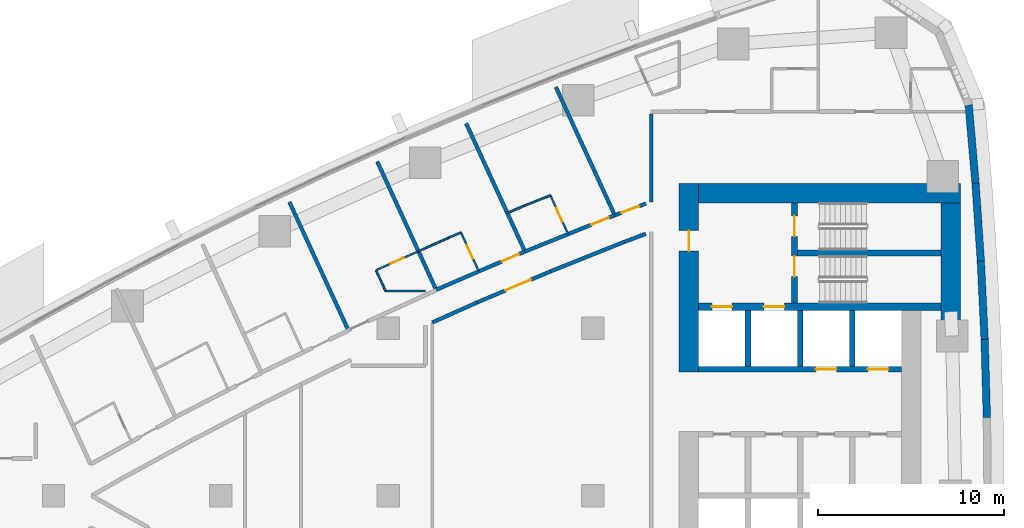
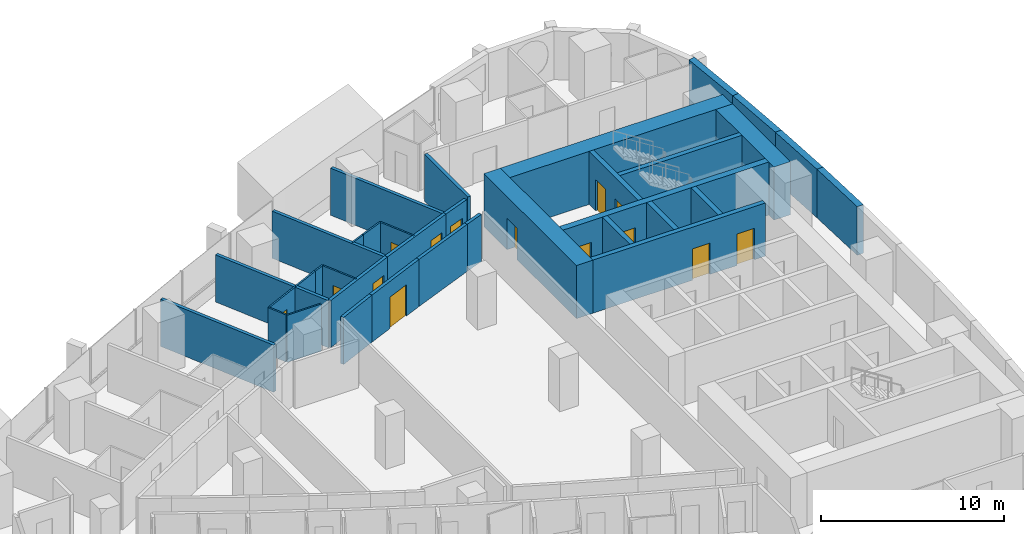
# One storey, part 12 of 17: 35 walls, 14 doors, 14 openings.
"""IFC4 building model written with IfcOpenShell, lengths in metres."""

from ifc_helpers import new_model, si_unit, direction, frame, frame_2d, origin, place, context, subcontext, project, spatial, polyline, rectangle, outline, extrude, material, layer, layer_set, type_object, element, fill, save


model = new_model("IFC4")

# Units and contexts
model_context = context("Model", 3, precision=1e-05, world=origin(), true_north=direction((0.0, 1.0)))
body_context = subcontext(model_context, "Body", "Model", "MODEL_VIEW")
ifc_project = project(units=[si_unit("LENGTHUNIT", "METRE"), si_unit("AREAUNIT", "SQUARE_METRE"), si_unit("VOLUMEUNIT", "CUBIC_METRE"), si_unit("PLANEANGLEUNIT", "RADIAN"), si_unit("MASSUNIT", "GRAM", prefix="KILO")], contexts=[model_context])

# Site, building, storey
site_placement = place(None, origin())
site = spatial("IfcSite", under=ifc_project, at=site_placement, CompositionType="ELEMENT")
building_placement = place(site_placement, origin())
building = spatial("IfcBuilding", under=site, at=building_placement, Name="Ostrand Prow Hotel Tower", CompositionType="ELEMENT")
storey_placement = place(building_placement, frame((0.0, 0.0, 116.85009765625)))
storey = spatial("IfcBuildingStorey", under=building, at=storey_placement, Name="L28", CompositionType="ELEMENT", Elevation=116.85009765625)

# Wall, opening, door
ifc_material_1 = material(Name="Concrete C80/95", Category="concrete")
ifc_layer_1 = layer(ifc_material_1, 1.050048828125)
ifc_layer_set_1 = layer_set([ifc_layer_1], Name="Concrete C80/95")
wall_type_1 = type_object("IfcWallType", Name="Core wall 1050 C80/95", PredefinedType="SHEAR", material=ifc_layer_set_1)
wall_1_placement = place(storey_placement, frame((50.175048828125, 6.64990234375, 0.0), z_axis=(0.0, 0.0, 1.0), x_axis=(0.0, 1.0, 0.0)))
wall_1 = element("IfcWall", 1, at=wall_1_placement, inside=storey, type_object=wall_type_1, Name="Core wall CW-W-N", PredefinedType="SHEAR", context=body_context, shape_type="SweptSolid", body=[
    extrude(rectangle(XDim=10.150146484375, YDim=1.050048828125, at=frame_2d((5.0751953125, 0.0))), origin(), (0.0, 0.0, 1.0), 3.5498046875),
])
opening_1_placement = place(wall_1_placement, frame((6.5, 0.0, 0.0)))
opening_1 = element("IfcOpeningElement", 2, at=opening_1_placement, cuts=wall_1, Name="Opening FD1", PredefinedType="OPENING", context=body_context, shape_type="SweptSolid", body=[
    extrude(rectangle(XDim=1.10009765625, YDim=2.10009765625, at=frame_2d((0.550048828125, 1.050048828125))), frame((0.0, 0.534912109375, 0.0), z_axis=(0.0, -1.0, 0.0), x_axis=(1.0, 0.0, 0.0)), (0.0, 0.0, 1.0), 1.070068359375),
])
ifc_material_2 = material(Name="Steel fire door", Category="steel")
door_type_1 = type_object("IfcDoorType", Name="Fire door 1100 EI120", OperationType="SINGLE_SWING_RIGHT", PredefinedType="DOOR", material=ifc_material_2)
door_1_placement = place(opening_1_placement, origin())
door_1 = element("IfcDoor", 3, at=door_1_placement, inside=storey, type_object=door_type_1, Name="FIRE DOOR", OperationType="SINGLE_SWING_RIGHT", OverallHeight=2.10009765625, OverallWidth=1.10009765625, PredefinedType="DOOR", context=body_context, shape_type="SweptSolid", body=[
    extrude(rectangle(XDim=1.10009765625, YDim=2.10009765625, at=frame_2d((0.550048828125, 1.050048828125))), frame((0.0, 0.02490234375, 0.0), z_axis=(0.0, -1.0, 0.0), x_axis=(1.0, 0.0, 0.0)), (0.0, 0.0, 1.0), 0.050048828125),
])
fill(opening_1, door_1)

# Walls
wall_2_placement = place(storey_placement, frame((50.699951171875, 16.27490234375, 0.0), z_axis=(0.0, 0.0, 1.0), x_axis=(1.0, 0.0, 0.0)))
element("IfcWall", 4, at=wall_2_placement, inside=storey, type_object=wall_type_1, Name="Core wall CW-N", PredefinedType="SHEAR", context=body_context, shape_type="SweptSolid", body=[
    extrude(rectangle(XDim=14.070068359375, YDim=1.050048828125, at=frame_2d((7.03515625, 0.0))), origin(), (0.0, 0.0, 1.0), 3.5498046875),
])
wall_3_placement = place(storey_placement, frame((64.2451171875, 9.388671875, 0.0), z_axis=(0.0, 0.0, 1.0), x_axis=(0.0, 1.0, 0.0)))
element("IfcWall", 5, at=wall_3_placement, inside=storey, type_object=wall_type_1, Name="Core wall CW-E-N", PredefinedType="SHEAR", context=body_context, shape_type="SweptSolid", body=[
    extrude(rectangle(XDim=6.361328125, YDim=1.050048828125, at=frame_2d((3.1806640625, 0.0))), origin(), (0.0, 0.0, 1.0), 3.5498046875),
])

# Wall, openings, doors
ifc_material_3 = material(Name="Concrete C80/95", Category="concrete")
ifc_layer_2 = layer(ifc_material_3, 0.300048828125)
ifc_layer_set_2 = layer_set([ifc_layer_2], Name="Concrete C80/95")
wall_type_2 = type_object("IfcWallType", Name="Core wall 300 C80/95", PredefinedType="SHEAR", material=ifc_layer_set_2)
wall_4_placement = place(storey_placement, frame((50.699951171875, 6.800048828125, 0.0), z_axis=(0.0, 0.0, 1.0), x_axis=(1.0, 0.0, 0.0)))
wall_4 = element("IfcWall", 6, at=wall_4_placement, inside=storey, type_object=wall_type_2, Name="Core wall PW-L2-N", PredefinedType="SHEAR", context=body_context, shape_type="SweptSolid", body=[
    extrude(rectangle(XDim=10.900146484375, YDim=0.300048828125, at=frame_2d((5.4501953125, 0.0))), origin(), (0.0, 0.0, 1.0), 3.5498046875),
])
opening_2_placement = place(wall_4_placement, frame((6.300048828125, 0.0, 0.0)))
opening_2 = element("IfcOpeningElement", 7, at=opening_2_placement, cuts=wall_4, Name="Opening LD", PredefinedType="OPENING", context=body_context, shape_type="SweptSolid", body=[
    extrude(rectangle(XDim=1.10009765625, YDim=2.10009765625, at=frame_2d((0.550048828125, 1.050048828125))), frame((0.0, 0.159912109375, 0.0), z_axis=(0.0, -1.0, 0.0), x_axis=(1.0, 0.0, 0.0)), (0.0, 0.0, 1.0), 0.320068359375),
])
opening_3_placement = place(wall_4_placement, frame((9.10009765625, 0.0, 0.0)))
opening_3 = element("IfcOpeningElement", 8, at=opening_3_placement, cuts=wall_4, Name="Opening LD", PredefinedType="OPENING", context=body_context, shape_type="SweptSolid", body=[
    extrude(rectangle(XDim=1.10009765625, YDim=2.10009765625, at=frame_2d((0.550048828125, 1.050048828125))), frame((0.0, 0.159912109375, 0.0), z_axis=(0.0, -1.0, 0.0), x_axis=(1.0, 0.0, 0.0)), (0.0, 0.0, 1.0), 0.320068359375),
])
ifc_material_4 = material(Name="Stainless steel door", Category="steel")
door_type_2 = type_object("IfcDoorType", Name="Lift landing door 1100", OperationType="DOUBLE_DOOR_SLIDING", PredefinedType="DOOR", material=ifc_material_4)
door_2_placement = place(opening_2_placement, origin())
door_2 = element("IfcDoor", 9, at=door_2_placement, inside=storey, type_object=door_type_2, Name="LIFT LANDING DOOR", OperationType="DOUBLE_DOOR_SLIDING", OverallHeight=2.10009765625, OverallWidth=1.10009765625, PredefinedType="DOOR", context=body_context, shape_type="SweptSolid", body=[
    extrude(rectangle(XDim=1.10009765625, YDim=2.10009765625, at=frame_2d((0.550048828125, 1.050048828125))), frame((0.0, 0.02490234375, 0.0), z_axis=(0.0, -1.0, 0.0), x_axis=(1.0, 0.0, 0.0)), (0.0, 0.0, 1.0), 0.050048828125),
])
fill(opening_2, door_2)
door_3_placement = place(opening_3_placement, origin())
door_3 = element("IfcDoor", 10, at=door_3_placement, inside=storey, type_object=door_type_2, Name="LIFT LANDING DOOR", OperationType="DOUBLE_DOOR_SLIDING", OverallHeight=2.10009765625, OverallWidth=1.10009765625, PredefinedType="DOOR", context=body_context, shape_type="SweptSolid", body=[
    extrude(rectangle(XDim=1.10009765625, YDim=2.10009765625, at=frame_2d((0.550048828125, 1.050048828125))), frame((0.0, 0.02490234375, 0.0), z_axis=(0.0, -1.0, 0.0), x_axis=(1.0, 0.0, 0.0)), (0.0, 0.0, 1.0), 0.050048828125),
])
fill(opening_3, door_3)

# Walls
for number, where, z_axis, x_axis, name in (
    (11, (53.35009765625, 6.949951171875, 0.0), (0.0, 0.0, 1.0), (0.0, 1.0, 0.0), "Core wall PW-R1-NA"),
    (12, (56.14990234375, 6.949951171875, 0.0), (0.0, 0.0, 1.0), (0.0, 1.0, 0.0), "Core wall PW-R2-NA"),
    (13, (58.949951171875, 6.949951171875, 0.0), (0.0, 0.0, 1.0), (0.0, 1.0, 0.0), "Core wall PW-R3-NA"),
):
    element("IfcWall", number, at=place(storey_placement, frame(where, z_axis=z_axis, x_axis=x_axis)), inside=storey, type_object=wall_type_2, Name=name, PredefinedType="SHEAR", context=body_context, shape_type="SweptSolid", body=[
        extrude(rectangle(XDim=3.0, YDim=0.300048828125, at=frame_2d((1.5, 0.0))), origin(), (0.0, 0.0, 1.0), 3.5498046875),
    ])

# Wall, openings, doors
wall_5_placement = place(storey_placement, frame((55.85009765625, 10.35009765625, 0.0), z_axis=(0.0, 0.0, 1.0), x_axis=(0.0, 1.0, 0.0)))
wall_5 = element("IfcWall", 14, at=wall_5_placement, inside=storey, type_object=wall_type_2, Name="Core wall PW-VN", PredefinedType="SHEAR", context=body_context, shape_type="SweptSolid", body=[
    extrude(rectangle(XDim=5.39990234375, YDim=0.300048828125, at=frame_2d((2.699951171875, 0.0))), origin(), (0.0, 0.0, 1.0), 3.5498046875),
])
opening_4_placement = place(wall_5_placement, frame((1.429931640625, 0.0, 0.0)))
opening_4 = element("IfcOpeningElement", 15, at=opening_4_placement, cuts=wall_5, Name="Opening FD1", PredefinedType="OPENING", context=body_context, shape_type="SweptSolid", body=[
    extrude(rectangle(XDim=1.10009765625, YDim=2.10009765625, at=frame_2d((0.550048828125, 1.050048828125))), frame((0.0, 0.159912109375, 0.0), z_axis=(0.0, -1.0, 0.0), x_axis=(1.0, 0.0, 0.0)), (0.0, 0.0, 1.0), 0.320068359375),
])
opening_5_placement = place(wall_5_placement, frame((3.60009765625, 0.0, 0.0)))
opening_5 = element("IfcOpeningElement", 16, at=opening_5_placement, cuts=wall_5, Name="Opening FD1", PredefinedType="OPENING", context=body_context, shape_type="SweptSolid", body=[
    extrude(rectangle(XDim=1.10009765625, YDim=2.10009765625, at=frame_2d((0.550048828125, 1.050048828125))), frame((0.0, 0.159912109375, 0.0), z_axis=(0.0, -1.0, 0.0), x_axis=(1.0, 0.0, 0.0)), (0.0, 0.0, 1.0), 0.320068359375),
])
door_4_placement = place(opening_4_placement, origin())
door_4 = element("IfcDoor", 17, at=door_4_placement, inside=storey, type_object=door_type_1, Name="FIRE DOOR", OperationType="SINGLE_SWING_RIGHT", OverallHeight=2.10009765625, OverallWidth=1.10009765625, PredefinedType="DOOR", context=body_context, shape_type="SweptSolid", body=[
    extrude(rectangle(XDim=1.10009765625, YDim=2.10009765625, at=frame_2d((0.550048828125, 1.050048828125))), frame((0.0, 0.02490234375, 0.0), z_axis=(0.0, -1.0, 0.0), x_axis=(1.0, 0.0, 0.0)), (0.0, 0.0, 1.0), 0.050048828125),
])
fill(opening_4, door_4)
door_5_placement = place(opening_5_placement, origin())
door_5 = element("IfcDoor", 18, at=door_5_placement, inside=storey, type_object=door_type_1, Name="FIRE DOOR", OperationType="SINGLE_SWING_RIGHT", OverallHeight=2.10009765625, OverallWidth=1.10009765625, PredefinedType="DOOR", context=body_context, shape_type="SweptSolid", body=[
    extrude(rectangle(XDim=1.10009765625, YDim=2.10009765625, at=frame_2d((0.550048828125, 1.050048828125))), frame((0.0, 0.02490234375, 0.0), z_axis=(0.0, -1.0, 0.0), x_axis=(1.0, 0.0, 0.0)), (0.0, 0.0, 1.0), 0.050048828125),
])
fill(opening_5, door_5)

# Wall
wall_6_placement = place(storey_placement, frame((56.0, 13.050048828125, 0.0), z_axis=(0.0, 0.0, 1.0), x_axis=(1.0, 0.0, 0.0)))
element("IfcWall", 19, at=wall_6_placement, inside=storey, type_object=wall_type_2, Name="Core wall PW-ST13", PredefinedType="SHEAR", context=body_context, shape_type="SweptSolid", body=[
    extrude(rectangle(XDim=7.719970703125, YDim=0.300048828125, at=frame_2d((3.85986328125, 0.0))), origin(), (0.0, 0.0, 1.0), 3.5498046875),
])

# Wall, openings, doors
ifc_material_5 = material(Name="Concrete C80/95", Category="concrete")
ifc_layer_3 = layer(ifc_material_5, 0.39990234375)
ifc_layer_set_3 = layer_set([ifc_layer_3], Name="Concrete C80/95")
wall_type_3 = type_object("IfcWallType", Name="Core wall 400 C80/95", PredefinedType="SHEAR", material=ifc_layer_set_3)
wall_7_placement = place(storey_placement, frame((50.699951171875, 10.14990234375, 0.0), z_axis=(0.0, 0.0, 1.0), x_axis=(1.0, 0.0, 0.0)))
wall_7 = element("IfcWall", 20, at=wall_7_placement, inside=storey, type_object=wall_type_3, Name="Core wall PW-BN", PredefinedType="SHEAR", context=body_context, shape_type="SweptSolid", body=[
    extrude(rectangle(XDim=13.02001953125, YDim=0.39990234375, at=frame_2d((6.510009765625, 0.0))), origin(), (0.0, 0.0, 1.0), 3.5498046875),
])
opening_6_placement = place(wall_7_placement, frame((0.699951171875, 0.0, 0.0)))
opening_6 = element("IfcOpeningElement", 21, at=opening_6_placement, cuts=wall_7, Name="Opening LD", PredefinedType="OPENING", context=body_context, shape_type="SweptSolid", body=[
    extrude(rectangle(XDim=1.10009765625, YDim=2.10009765625, at=frame_2d((0.550048828125, 1.050048828125))), frame((0.0, 0.2099609375, 0.0), z_axis=(0.0, -1.0, 0.0), x_axis=(1.0, 0.0, 0.0)), (0.0, 0.0, 1.0), 0.419921875),
])
opening_7_placement = place(wall_7_placement, frame((3.5, 0.0, 0.0)))
opening_7 = element("IfcOpeningElement", 22, at=opening_7_placement, cuts=wall_7, Name="Opening LD", PredefinedType="OPENING", context=body_context, shape_type="SweptSolid", body=[
    extrude(rectangle(XDim=1.10009765625, YDim=2.10009765625, at=frame_2d((0.550048828125, 1.050048828125))), frame((0.0, 0.2099609375, 0.0), z_axis=(0.0, -1.0, 0.0), x_axis=(1.0, 0.0, 0.0)), (0.0, 0.0, 1.0), 0.419921875),
])
door_6_placement = place(opening_6_placement, origin())
door_6 = element("IfcDoor", 23, at=door_6_placement, inside=storey, type_object=door_type_2, Name="LIFT LANDING DOOR", OperationType="DOUBLE_DOOR_SLIDING", OverallHeight=2.10009765625, OverallWidth=1.10009765625, PredefinedType="DOOR", context=body_context, shape_type="SweptSolid", body=[
    extrude(rectangle(XDim=1.10009765625, YDim=2.10009765625, at=frame_2d((0.550048828125, 1.050048828125))), frame((0.0, 0.02490234375, 0.0), z_axis=(0.0, -1.0, 0.0), x_axis=(1.0, 0.0, 0.0)), (0.0, 0.0, 1.0), 0.050048828125),
])
fill(opening_6, door_6)
door_7_placement = place(opening_7_placement, origin())
door_7 = element("IfcDoor", 24, at=door_7_placement, inside=storey, type_object=door_type_2, Name="LIFT LANDING DOOR", OperationType="DOUBLE_DOOR_SLIDING", OverallHeight=2.10009765625, OverallWidth=1.10009765625, PredefinedType="DOOR", context=body_context, shape_type="SweptSolid", body=[
    extrude(rectangle(XDim=1.10009765625, YDim=2.10009765625, at=frame_2d((0.550048828125, 1.050048828125))), frame((0.0, 0.02490234375, 0.0), z_axis=(0.0, -1.0, 0.0), x_axis=(1.0, 0.0, 0.0)), (0.0, 0.0, 1.0), 0.050048828125),
])
fill(opening_7, door_7)

# Wall, opening, door
ifc_material_6 = material(Name="Plasterboard partition")
ifc_layer_4 = layer(ifc_material_6, 0.10009765625)
ifc_layer_set_4 = layer_set([ifc_layer_4], Name="Plasterboard partition")
wall_type_4 = type_object("IfcWallType", Name="Partition 100 bathroom wall", PredefinedType="PARTITIONING", material=ifc_layer_set_4)
wall_8_placement = place(storey_placement, frame((33.345458984375, 12.1259765625, 0.0), z_axis=(0.0, 0.0, 1.0), x_axis=(0.913052819539, 0.407841327885, 0.0)))
wall_8 = element("IfcWall", 25, at=wall_8_placement, inside=storey, type_object=wall_type_4, Name="BATHROOM WALL", PredefinedType="PARTITIONING", context=body_context, shape_type="SweptSolid", body=[
    extrude(rectangle(XDim=2.499755859375, YDim=0.10009765625, at=frame_2d((1.25, 0.0))), origin(), (0.0, 0.0, 1.0), 3.14990234375),
])
opening_8_placement = place(wall_8_placement, frame((0.85009765625, 0.0, 0.0)))
opening_8 = element("IfcOpeningElement", 26, at=opening_8_placement, cuts=wall_8, Name="Opening D2", PredefinedType="OPENING", context=body_context, shape_type="SweptSolid", body=[
    extrude(rectangle(XDim=0.800048828125, YDim=2.10009765625, at=frame_2d((0.39990234375, 1.050048828125))), frame((0.0, 0.06005859375, 0.0), z_axis=(0.0, -1.0, 0.0), x_axis=(1.0, 0.0, 0.0)), (0.0, 0.0, 1.0), 0.1201171875),
])
ifc_material_7 = material(Name="Timber door leaf", Category="wood")
door_type_3 = type_object("IfcDoorType", Name="Bathroom door 800", OperationType="SINGLE_SWING_LEFT", PredefinedType="DOOR", material=ifc_material_7)
door_8_placement = place(opening_8_placement, origin())
door_8 = element("IfcDoor", 27, at=door_8_placement, inside=storey, type_object=door_type_3, Name="DOOR", OperationType="SINGLE_SWING_LEFT", OverallHeight=2.10009765625, OverallWidth=0.800048828125, PredefinedType="DOOR", context=body_context, shape_type="SweptSolid", body=[
    extrude(rectangle(XDim=0.800048828125, YDim=2.10009765625, at=frame_2d((0.39990234375, 1.050048828125))), frame((0.0, 0.02490234375, 0.0), z_axis=(0.0, -1.0, 0.0), x_axis=(1.0, 0.0, 0.0)), (0.0, 0.0, 1.0), 0.050048828125),
])
fill(opening_8, door_8)

# Walls
wall_9_placement = place(storey_placement, frame((33.8515625, 11.023681640625, 0.0), z_axis=(0.0, 0.0, 1.0), x_axis=(-0.417500171551, 0.908676843963, 0.0)))
element("IfcWall", 28, at=wall_9_placement, inside=storey, type_object=wall_type_4, Name="BATHROOM WALL", PredefinedType="PARTITIONING", context=body_context, shape_type="SweptSolid", body=[
    extrude(rectangle(XDim=1.212890625, YDim=0.10009765625, at=frame_2d((0.6064453125, 0.0))), origin(), (0.0, 0.0, 1.0), 3.14990234375),
])
wall_10_placement = place(storey_placement, frame((35.628173828125, 13.1455078125, 0.0), z_axis=(0.0, 0.0, 1.0), x_axis=(0.913023709843, 0.407906490833, 0.0)))
element("IfcWall", 29, at=wall_10_placement, inside=storey, type_object=wall_type_4, Name="BATHROOM WALL", PredefinedType="PARTITIONING", context=body_context, shape_type="SweptSolid", body=[
    extrude(rectangle(XDim=1.8056640625, YDim=0.10009765625, at=frame_2d((0.90283203125, 0.0))), origin(), (0.0, 0.0, 1.0), 3.14990234375),
])
wall_11_placement = place(storey_placement, frame((37.277099609375, 13.882080078125, 0.0), z_axis=(0.0, 0.0, 1.0), x_axis=(0.920972104389, 0.389628519153, 0.0)))
element("IfcWall", 30, at=wall_11_placement, inside=storey, type_object=wall_type_4, Name="BATHROOM WALL", PredefinedType="PARTITIONING", context=body_context, shape_type="SweptSolid", body=[
    extrude(rectangle(XDim=0.6943359375, YDim=0.10009765625, at=frame_2d((0.34716796875, 0.0))), origin(), (0.0, 0.0, 1.0), 3.14990234375),
])

# Wall, opening, door
wall_12_placement = place(storey_placement, frame((37.91650390625, 14.152587890625, 0.0), z_axis=(0.0, 0.0, 1.0), x_axis=(0.417433204355, -0.908707609686, 0.0)))
wall_12 = element("IfcWall", 31, at=wall_12_placement, inside=storey, type_object=wall_type_4, Name="BATHROOM WALL", PredefinedType="PARTITIONING", context=body_context, shape_type="SweptSolid", body=[
    extrude(rectangle(XDim=2.278076171875, YDim=0.10009765625, at=frame_2d((1.13916015625, 0.0))), origin(), (0.0, 0.0, 1.0), 3.14990234375),
])
opening_9_placement = place(wall_12_placement, frame((0.75, 0.0, 0.0)))
opening_9 = element("IfcOpeningElement", 32, at=opening_9_placement, cuts=wall_12, Name="Opening D2", PredefinedType="OPENING", context=body_context, shape_type="SweptSolid", body=[
    extrude(rectangle(XDim=0.800048828125, YDim=2.10009765625, at=frame_2d((0.39990234375, 1.050048828125))), frame((0.0, 0.06005859375, 0.0), z_axis=(0.0, -1.0, 0.0), x_axis=(1.0, 0.0, 0.0)), (0.0, 0.0, 1.0), 0.1201171875),
])
door_9_placement = place(opening_9_placement, origin())
door_9 = element("IfcDoor", 33, at=door_9_placement, inside=storey, type_object=door_type_3, Name="DOOR", OperationType="SINGLE_SWING_LEFT", OverallHeight=2.10009765625, OverallWidth=0.800048828125, PredefinedType="DOOR", context=body_context, shape_type="SweptSolid", body=[
    extrude(rectangle(XDim=0.800048828125, YDim=2.10009765625, at=frame_2d((0.39990234375, 1.050048828125))), frame((0.0, 0.02490234375, 0.0), z_axis=(0.0, -1.0, 0.0), x_axis=(1.0, 0.0, 0.0)), (0.0, 0.0, 1.0), 0.050048828125),
])
fill(opening_9, door_9)

# Walls
wall_13_placement = place(storey_placement, frame((40.404541015625, 15.204833984375, 0.0), z_axis=(0.0, 0.0, 1.0), x_axis=(0.921041449483, 0.389464566212, 0.0)))
element("IfcWall", 34, at=wall_13_placement, inside=storey, type_object=wall_type_4, Name="BATHROOM WALL", PredefinedType="PARTITIONING", context=body_context, shape_type="SweptSolid", body=[
    extrude(rectangle(XDim=0.953369140625, YDim=0.10009765625, at=frame_2d((0.4765625, 0.0))), origin(), (0.0, 0.0, 1.0), 3.14990234375),
])
wall_14_placement = place(storey_placement, frame((41.28271484375, 15.576171875, 0.0), z_axis=(0.0, 0.0, 1.0), x_axis=(0.928607087251, 0.371064519333, 0.0)))
element("IfcWall", 35, at=wall_14_placement, inside=storey, type_object=wall_type_4, Name="BATHROOM WALL", PredefinedType="PARTITIONING", context=body_context, shape_type="SweptSolid", body=[
    extrude(rectangle(XDim=1.548828125, YDim=0.10009765625, at=frame_2d((0.7744140625, 0.0))), origin(), (0.0, 0.0, 1.0), 3.14990234375),
])

# Wall, opening, door
wall_15_placement = place(storey_placement, frame((42.72119140625, 16.15087890625, 0.0), z_axis=(0.0, 0.0, 1.0), x_axis=(0.417414140651, -0.908716366742, 0.0)))
wall_15 = element("IfcWall", 36, at=wall_15_placement, inside=storey, type_object=wall_type_4, Name="BATHROOM WALL", PredefinedType="PARTITIONING", context=body_context, shape_type="SweptSolid", body=[
    extrude(rectangle(XDim=2.27978515625, YDim=0.10009765625, at=frame_2d((1.139892578125, 0.0))), origin(), (0.0, 0.0, 1.0), 3.14990234375),
])
opening_10_placement = place(wall_15_placement, frame((0.75, 0.0, 0.0)))
opening_10 = element("IfcOpeningElement", 37, at=opening_10_placement, cuts=wall_15, Name="Opening D2", PredefinedType="OPENING", context=body_context, shape_type="SweptSolid", body=[
    extrude(rectangle(XDim=0.800048828125, YDim=2.10009765625, at=frame_2d((0.39990234375, 1.050048828125))), frame((0.0, 0.06005859375, 0.0), z_axis=(0.0, -1.0, 0.0), x_axis=(1.0, 0.0, 0.0)), (0.0, 0.0, 1.0), 0.1201171875),
])
door_10_placement = place(opening_10_placement, origin())
door_10 = element("IfcDoor", 38, at=door_10_placement, inside=storey, type_object=door_type_3, Name="DOOR", OperationType="SINGLE_SWING_LEFT", OverallHeight=2.10009765625, OverallWidth=0.800048828125, PredefinedType="DOOR", context=body_context, shape_type="SweptSolid", body=[
    extrude(rectangle(XDim=0.800048828125, YDim=2.10009765625, at=frame_2d((0.39990234375, 1.050048828125))), frame((0.0, 0.02490234375, 0.0), z_axis=(0.0, -1.0, 0.0), x_axis=(1.0, 0.0, 0.0)), (0.0, 0.0, 1.0), 0.050048828125),
])
fill(opening_10, door_10)

# Wall
wall_16_placement = place(storey_placement, frame((36.00048828125, 11.0048828125, 0.0), z_axis=(0.0, 0.0, 1.0), x_axis=(-1.0, 0.0, 0.0)))
element("IfcWall", 39, at=wall_16_placement, inside=storey, type_object=wall_type_4, Name="BATHROOM WALL", PredefinedType="PARTITIONING", context=body_context, shape_type="SweptSolid", body=[
    extrude(rectangle(XDim=2.171630859375, YDim=0.10009765625, at=frame_2d((1.0859375, 0.0))), origin(), (0.0, 0.0, 1.0), 3.14990234375),
])

# Wall, opening, door
ifc_material_8 = material(Name="Plasterboard partition")
ifc_layer_5 = layer(ifc_material_8, 0.199951171875)
ifc_layer_set_5 = layer_set([ifc_layer_5], Name="Plasterboard partition")
wall_type_5 = type_object("IfcWallType", Name="Partition 200 corridor wall", PredefinedType="PARTITIONING", material=ifc_layer_set_5)
wall_17_placement = place(storey_placement, frame((41.356689453125, 13.132080078125, 0.0), z_axis=(0.0, 0.0, 1.0), x_axis=(-0.918351735125, -0.395765196288, 0.0)))
wall_17 = element("IfcWall", 40, at=wall_17_placement, inside=storey, type_object=wall_type_5, Name="CORRIDOR WALL", PredefinedType="PARTITIONING", context=body_context, shape_type="SweptSolid", body=[
    extrude(rectangle(XDim=5.20166015625, YDim=0.199951171875, at=frame_2d((2.600830078125, 0.0))), origin(), (0.0, 0.0, 1.0), 3.14990234375),
])
opening_11_placement = place(wall_17_placement, frame((0.35009765625, 0.0, 0.0)))
opening_11 = element("IfcOpeningElement", 41, at=opening_11_placement, cuts=wall_17, Name="Opening D1", PredefinedType="OPENING", context=body_context, shape_type="SweptSolid", body=[
    extrude(rectangle(XDim=1.0, YDim=2.10009765625, at=frame_2d((0.5, 1.050048828125))), frame((0.0, 0.10986328125, 0.0), z_axis=(0.0, -1.0, 0.0), x_axis=(1.0, 0.0, 0.0)), (0.0, 0.0, 1.0), 0.219970703125),
])
ifc_material_9 = material(Name="Timber door leaf", Category="wood")
door_type_4 = type_object("IfcDoorType", Name="Guest room door 1000", OperationType="SINGLE_SWING_LEFT", PredefinedType="DOOR", material=ifc_material_9)
door_11_placement = place(opening_11_placement, origin())
door_11 = element("IfcDoor", 42, at=door_11_placement, inside=storey, type_object=door_type_4, Name="DOOR", OperationType="SINGLE_SWING_LEFT", OverallHeight=2.10009765625, OverallWidth=1.0, PredefinedType="DOOR", context=body_context, shape_type="SweptSolid", body=[
    extrude(rectangle(XDim=1.0, YDim=2.10009765625, at=frame_2d((0.5, 1.050048828125))), frame((0.0, 0.02490234375, 0.0), z_axis=(0.0, -1.0, 0.0), x_axis=(1.0, 0.0, 0.0)), (0.0, 0.0, 1.0), 0.050048828125),
])
fill(opening_11, door_11)

wall_18_placement = place(storey_placement, frame((46.184814453125, 15.07861328125, 0.0), z_axis=(0.0, 0.0, 1.0), x_axis=(-0.927460884939, -0.373920187885, 0.0)))
wall_18 = element("IfcWall", 43, at=wall_18_placement, inside=storey, type_object=wall_type_5, Name="CORRIDOR WALL", PredefinedType="PARTITIONING", context=body_context, shape_type="SweptSolid", body=[
    extrude(rectangle(XDim=5.205810546875, YDim=0.199951171875, at=frame_2d((2.60302734375, 0.0))), origin(), (0.0, 0.0, 1.0), 3.14990234375),
])
opening_12_placement = place(wall_18_placement, frame((0.35009765625, 0.0, 0.0)))
opening_12 = element("IfcOpeningElement", 44, at=opening_12_placement, cuts=wall_18, Name="Opening D1", PredefinedType="OPENING", context=body_context, shape_type="SweptSolid", body=[
    extrude(rectangle(XDim=1.0, YDim=2.10009765625, at=frame_2d((0.5, 1.050048828125))), frame((0.0, 0.10986328125, 0.0), z_axis=(0.0, -1.0, 0.0), x_axis=(1.0, 0.0, 0.0)), (0.0, 0.0, 1.0), 0.219970703125),
])
door_12_placement = place(opening_12_placement, origin())
door_12 = element("IfcDoor", 45, at=door_12_placement, inside=storey, type_object=door_type_4, Name="DOOR", OperationType="SINGLE_SWING_LEFT", OverallHeight=2.10009765625, OverallWidth=1.0, PredefinedType="DOOR", context=body_context, shape_type="SweptSolid", body=[
    extrude(rectangle(XDim=1.0, YDim=2.10009765625, at=frame_2d((0.5, 1.050048828125))), frame((0.0, 0.02490234375, 0.0), z_axis=(0.0, -1.0, 0.0), x_axis=(1.0, 0.0, 0.0)), (0.0, 0.0, 1.0), 0.050048828125),
])
fill(opening_12, door_12)

wall_19_placement = place(storey_placement, frame((38.7919921875, 10.397216796875, 0.0), z_axis=(0.0, 0.0, 1.0), x_axis=(0.921037415532, 0.389474105929, 0.0)))
wall_19 = element("IfcWall", 46, at=wall_19_placement, inside=storey, type_object=wall_type_5, Name="CORRIDOR WALL", PredefinedType="PARTITIONING", context=body_context, shape_type="SweptSolid", body=[
    extrude(rectangle(XDim=4.273193359375, YDim=0.199951171875, at=frame_2d((2.13671875, 0.0))), origin(), (0.0, 0.0, 1.0), 3.14990234375),
])
opening_13_placement = place(wall_19_placement, frame((1.636474609375, 0.0, 0.0)))
opening_13 = element("IfcOpeningElement", 47, at=opening_13_placement, cuts=wall_19, Name="Opening D15", PredefinedType="OPENING", context=body_context, shape_type="SweptSolid", body=[
    extrude(rectangle(XDim=1.5, YDim=2.10009765625, at=frame_2d((0.75, 1.050048828125))), frame((0.0, 0.10986328125, 0.0), z_axis=(0.0, -1.0, 0.0), x_axis=(1.0, 0.0, 0.0)), (0.0, 0.0, 1.0), 0.219970703125),
])
ifc_material_10 = material(Name="Timber door leaf", Category="wood")
door_type_5 = type_object("IfcDoorType", Name="Double door 1500", OperationType="DOUBLE_DOOR_SINGLE_SWING", PredefinedType="DOOR", material=ifc_material_10)
door_13_placement = place(opening_13_placement, origin())
door_13 = element("IfcDoor", 48, at=door_13_placement, inside=storey, type_object=door_type_5, Name="DOOR", OperationType="DOUBLE_DOOR_SINGLE_SWING", OverallHeight=2.10009765625, OverallWidth=1.5, PredefinedType="DOOR", context=body_context, shape_type="SweptSolid", body=[
    extrude(rectangle(XDim=1.5, YDim=2.10009765625, at=frame_2d((0.75, 1.050048828125))), frame((0.0, 0.02490234375, 0.0), z_axis=(0.0, -1.0, 0.0), x_axis=(1.0, 0.0, 0.0)), (0.0, 0.0, 1.0), 0.050048828125),
])
fill(opening_13, door_13)

# Walls
wall_20_placement = place(storey_placement, frame((42.727783203125, 12.0615234375, 0.0), z_axis=(0.0, 0.0, 1.0), x_axis=(0.928638161177, 0.370986745864, 0.0)))
element("IfcWall", 49, at=wall_20_placement, inside=storey, type_object=wall_type_5, Name="CORRIDOR WALL", PredefinedType="PARTITIONING", context=body_context, shape_type="SweptSolid", body=[
    extrude(rectangle(XDim=4.27294921875, YDim=0.199951171875, at=frame_2d((2.136474609375, 0.0))), origin(), (0.0, 0.0, 1.0), 3.14990234375),
])
wall_21_placement = place(storey_placement, frame((36.373779296875, 9.31689453125, 0.0), z_axis=(0.0, 0.0, 1.0), x_axis=(0.913030623494, 0.407891015544, 0.0)))
element("IfcWall", 50, at=wall_21_placement, inside=storey, type_object=wall_type_5, Name="CORRIDOR WALL", PredefinedType="PARTITIONING", context=body_context, shape_type="SweptSolid", body=[
    extrude(rectangle(XDim=2.6484375, YDim=0.199951171875, at=frame_2d((1.32421875, 0.0))), origin(), (0.0, 0.0, 1.0), 3.14990234375),
])

# Wall, opening, door
wall_22_placement = place(storey_placement, frame((47.85498046875, 15.707275390625, 0.0), z_axis=(0.0, 0.0, 1.0), x_axis=(-0.935895556609, -0.352277599513, 0.0)))
wall_22 = element("IfcWall", 51, at=wall_22_placement, inside=storey, type_object=wall_type_5, Name="CORRIDOR WALL", PredefinedType="PARTITIONING", context=body_context, shape_type="SweptSolid", body=[
    extrude(rectangle(XDim=1.78466796875, YDim=0.199951171875, at=frame_2d((0.892333984375, 0.0))), origin(), (0.0, 0.0, 1.0), 3.14990234375),
])
opening_14_placement = place(wall_22_placement, frame((0.39208984375, 0.0, 0.0)))
opening_14 = element("IfcOpeningElement", 52, at=opening_14_placement, cuts=wall_22, Name="Opening D1", PredefinedType="OPENING", context=body_context, shape_type="SweptSolid", body=[
    extrude(rectangle(XDim=1.0, YDim=2.10009765625, at=frame_2d((0.5, 1.050048828125))), frame((0.0, 0.10986328125, 0.0), z_axis=(0.0, -1.0, 0.0), x_axis=(1.0, 0.0, 0.0)), (0.0, 0.0, 1.0), 0.219970703125),
])
door_14_placement = place(opening_14_placement, origin())
door_14 = element("IfcDoor", 53, at=door_14_placement, inside=storey, type_object=door_type_4, Name="DOOR", OperationType="SINGLE_SWING_LEFT", OverallHeight=2.10009765625, OverallWidth=1.0, PredefinedType="DOOR", context=body_context, shape_type="SweptSolid", body=[
    extrude(rectangle(XDim=1.0, YDim=2.10009765625, at=frame_2d((0.5, 1.050048828125))), frame((0.0, 0.02490234375, 0.0), z_axis=(0.0, -1.0, 0.0), x_axis=(1.0, 0.0, 0.0)), (0.0, 0.0, 1.0), 0.050048828125),
])
fill(opening_14, door_14)

# Walls
wall_23_placement = place(storey_placement, frame((46.69580078125, 13.646728515625, 0.0), z_axis=(0.0, 0.0, 1.0), x_axis=(0.935907269358, 0.352246480696, 0.0)))
element("IfcWall", 54, at=wall_23_placement, inside=storey, type_object=wall_type_5, Name="CORRIDOR WALL", PredefinedType="PARTITIONING", context=body_context, shape_type="SweptSolid", body=[
    extrude(rectangle(XDim=1.238525390625, YDim=0.199951171875, at=frame_2d((0.619140625, 0.0))), origin(), (0.0, 0.0, 1.0), 3.14990234375),
])
wall_24_placement = place(storey_placement, frame((48.145751953125, 20.53271484375, 0.0), z_axis=(0.0, 0.0, 1.0), x_axis=(-0.000103183201, -0.999999994677, 0.0)))
element("IfcWall", 55, at=wall_24_placement, inside=storey, type_object=wall_type_5, Name="CORRIDOR WALL", PredefinedType="PARTITIONING", context=body_context, shape_type="SweptSolid", body=[
    extrude(rectangle(XDim=4.732177734375, YDim=0.199951171875, at=frame_2d((2.3662109375, 0.0))), origin(), (0.0, 0.0, 1.0), 3.14990234375),
])
ifc_material_11 = material(Name="Plasterboard partition")
ifc_layer_6 = layer(ifc_material_11, 0.199951171875)
ifc_layer_set_6 = layer_set([ifc_layer_6], Name="Plasterboard partition")
wall_type_6 = type_object("IfcWallType", Name="Partition 200 key partition", PredefinedType="PARTITIONING", material=ifc_layer_set_6)
for number, where, z_axis, x_axis, name in (
    (56, (31.8623046875, 8.885986328125, 0.0), (0.0, 0.0, 1.0), (-0.417429919618, 0.90870911859, 0.0), "KEY PARTITION"),
    (57, (36.588134765625, 11.055419921875, 0.0), (0.0, 0.0, 1.0), (-0.417429919618, 0.90870911859, 0.0), "KEY PARTITION"),
):
    element("IfcWall", number, at=place(storey_placement, frame(where, z_axis=z_axis, x_axis=x_axis)), inside=storey, type_object=wall_type_6, Name=name, PredefinedType="PARTITIONING", context=body_context, shape_type="SweptSolid", body=[
        extrude(rectangle(XDim=7.600341796875, YDim=0.199951171875, at=frame_2d((3.80029296875, 0.0))), origin(), (0.0, 0.0, 1.0), 3.14990234375),
    ])
wall_25_placement = place(storey_placement, frame((41.364990234375, 13.11376953125, 0.0), z_axis=(0.0, 0.0, 1.0), x_axis=(-0.417416334044, 0.908715359215, 0.0)))
element("IfcWall", 58, at=wall_25_placement, inside=storey, type_object=wall_type_6, Name="KEY PARTITION", PredefinedType="PARTITIONING", context=body_context, shape_type="SweptSolid", body=[
    extrude(rectangle(XDim=7.603515625, YDim=0.199951171875, at=frame_2d((3.8017578125, 0.0))), origin(), (0.0, 0.0, 1.0), 3.14990234375),
])
wall_26_placement = place(storey_placement, frame((46.193359375, 15.060302734375, 0.0), z_axis=(0.0, 0.0, 1.0), x_axis=(-0.417444332366, 0.908702497727, 0.0)))
element("IfcWall", 59, at=wall_26_placement, inside=storey, type_object=wall_type_6, Name="KEY PARTITION", PredefinedType="PARTITIONING", context=body_context, shape_type="SweptSolid", body=[
    extrude(rectangle(XDim=7.610595703125, YDim=0.199951171875, at=frame_2d((3.80517578125, 0.0))), origin(), (0.0, 0.0, 1.0), 3.14990234375),
])
ifc_material_12 = material(Name="Precast concrete C40/50", Category="concrete")
ifc_layer_7 = layer(ifc_material_12, 0.39990234375)
ifc_layer_set_7 = layer_set([ifc_layer_7], Name="Precast concrete C40/50")
wall_type_7 = type_object("IfcWallType", Name="Stone-faced precast wall 400 mm", PredefinedType="NOTDEFINED", material=ifc_layer_set_7)
for number, where, z_axis, x_axis, name in (
    (60, (66.193603515625, 4.20654296875, 0.0), (0.0, 0.0, 1.0), (-0.02901703777, 0.999578917104, 0.0), "Stone-faced wall back 11"),
    (61, (66.071533203125, 8.41162109375, 0.0), (0.0, 0.0, 1.0), (-0.048342691508, 0.998830808585, 0.0), "Stone-faced wall back 12"),
):
    element("IfcWall", number, at=place(storey_placement, frame(where, z_axis=z_axis, x_axis=x_axis)), inside=storey, type_object=wall_type_7, Name=name, PredefinedType="NOTDEFINED", context=body_context, shape_type="SweptSolid", body=[
        extrude(outline(polyline([(-0.001953125, -0.199951171875), (4.208740234375, -0.199951171875), (4.204833984375, 0.199951171875), (0.001953125, 0.199951171875), (-0.001953125, -0.199951171875)])), origin(), (0.0, 0.0, 1.0), 3.25),
    ])
wall_27_placement = place(storey_placement, frame((65.8681640625, 12.613525390625, 0.0), z_axis=(0.0, 0.0, 1.0), x_axis=(-0.067724559895, 0.997704056315, 0.0)))
element("IfcWall", 62, at=wall_27_placement, inside=storey, type_object=wall_type_7, Name="Stone-faced wall back 13", PredefinedType="NOTDEFINED", context=body_context, shape_type="SweptSolid", body=[
    extrude(outline(polyline([(-0.001953125, -0.199951171875), (4.208984375, -0.199951171875), (4.205078125, 0.199951171875), (0.001953125, 0.199951171875), (-0.001953125, -0.199951171875)])), origin(), (0.0, 0.0, 1.0), 3.25),
])
wall_28_placement = place(storey_placement, frame((65.583251953125, 16.810791015625, 0.0), z_axis=(0.0, 0.0, 1.0), x_axis=(-0.086992730434, 0.996208946382, 0.0)))
element("IfcWall", 63, at=wall_28_placement, inside=storey, type_object=wall_type_7, Name="Stone-faced wall back 14", PredefinedType="NOTDEFINED", context=body_context, shape_type="SweptSolid", body=[
    extrude(outline(polyline([(-0.001953125, -0.199951171875), (4.23779296875, -0.199951171875), (4.17578125, 0.199951171875), (0.001953125, 0.199951171875), (-0.001953125, -0.199951171875)])), origin(), (0.0, 0.0, 1.0), 3.25),
])

save(model, "model.ifc")
